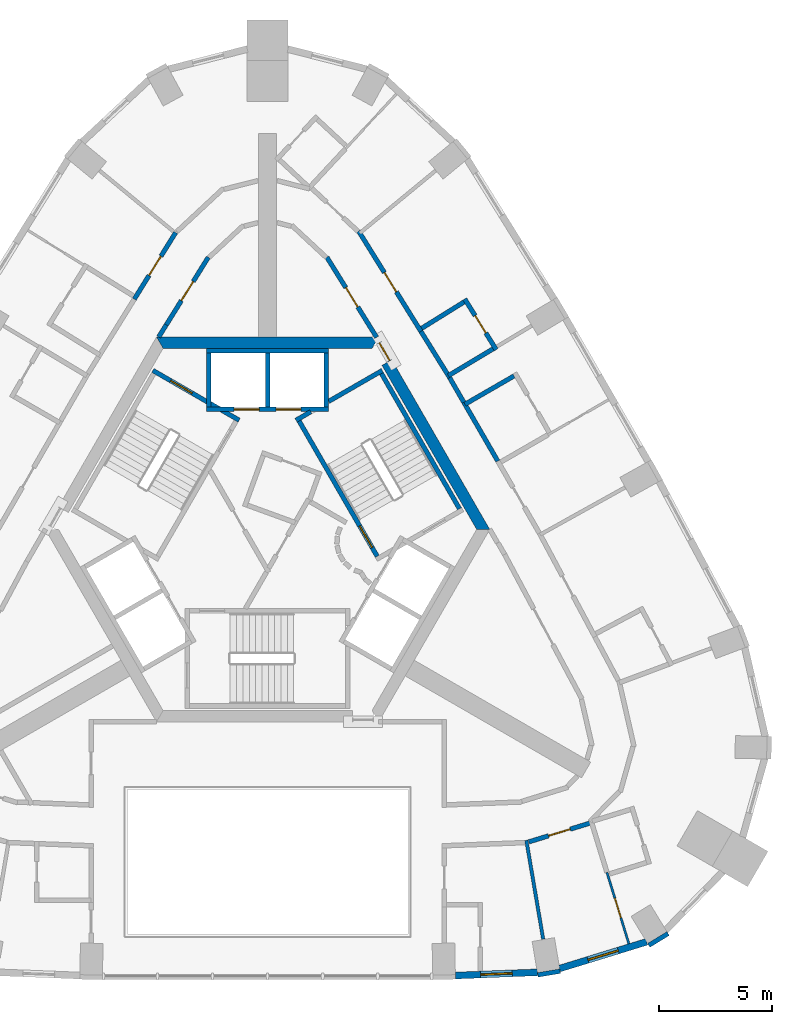
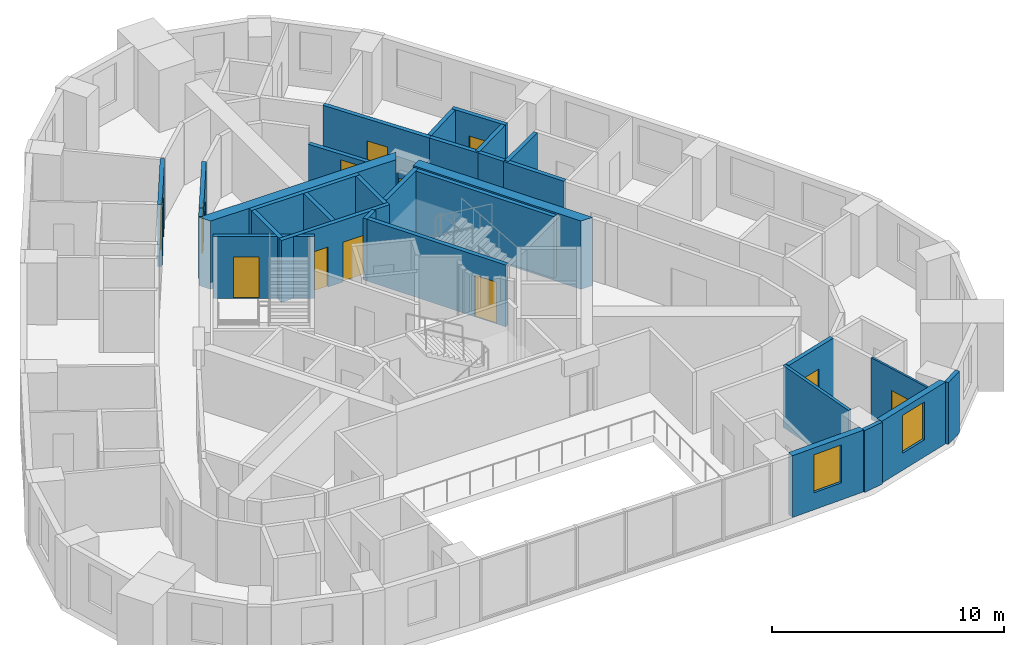
# One storey, part 5 of 9: 32 walls, 12 doors, 2 windows, 14 openings.
"""IFC4 building model written with IfcOpenShell, lengths in metres."""

from ifc_helpers import new_model, si_unit, direction, frame, frame_2d, origin, place, context, subcontext, project, spatial, polyline, rectangle, outline, extrude, material, layer, layer_set, type_object, element, fill, save


model = new_model("IFC4")

# Units and contexts
model_context = context("Model", 3, precision=1e-05, world=origin(), true_north=direction((0.0, 1.0)))
body_context = subcontext(model_context, "Body", "Model", "MODEL_VIEW")
ifc_project = project(units=[si_unit("LENGTHUNIT", "METRE"), si_unit("AREAUNIT", "SQUARE_METRE"), si_unit("VOLUMEUNIT", "CUBIC_METRE"), si_unit("PLANEANGLEUNIT", "RADIAN"), si_unit("MASSUNIT", "GRAM", prefix="KILO")], contexts=[model_context])

# Site, building, storey
site_placement = place(None, origin())
site = spatial("IfcSite", under=ifc_project, at=site_placement, CompositionType="ELEMENT")
building_placement = place(site_placement, origin())
building = spatial("IfcBuilding", under=site, at=building_placement, Name="Entoto Arch Interchange Tower", CompositionType="ELEMENT")
storey_placement = place(building_placement, frame((0.0, 0.0, 290.0)))
storey = spatial("IfcBuildingStorey", under=building, at=storey_placement, Name="L67", CompositionType="ELEMENT", Elevation=290.0)

# Wall, opening, door
ifc_material_1 = material(Name="Reinforced concrete C40/50", Category="concrete")
ifc_layer_1 = layer(ifc_material_1, 0.199951171875)
ifc_layer_set_1 = layer_set([ifc_layer_1], Name="Reinforced concrete C40/50")
wall_type_1 = type_object("IfcWallType", Name="CORE GAP INFILL WALL", PredefinedType="PARTITIONING", material=ifc_layer_set_1)
wall_1_placement = place(storey_placement, frame((5.39892578125, 9.947998046875, 0.0), z_axis=(0.0, 0.0, 1.0), x_axis=(-0.499882215713, 0.866093395895, 0.0)))
wall_1 = element("IfcWall", 1, at=wall_1_placement, inside=storey, type_object=wall_type_1, Name="wall:L67:gap2", PredefinedType="PARTITIONING", context=body_context, shape_type="SweptSolid", body=[
    extrude(rectangle(XDim=0.926025390625, YDim=0.199951171875, at=frame_2d((0.462890625, 0.0))), origin(), (0.0, 0.0, 1.0), 2.39990234375),
])
opening_1_placement = place(wall_1_placement, frame((0.01708984375, 0.0, 0.0)))
opening_1 = element("IfcOpeningElement", 2, at=opening_1_placement, cuts=wall_1, Name="Opening L67-D92", PredefinedType="OPENING", context=body_context, shape_type="SweptSolid", body=[
    extrude(rectangle(XDim=0.89990234375, YDim=2.10009765625, at=frame_2d((0.449951171875, 1.050048828125))), frame((0.0, 0.10986328125, 0.0), z_axis=(0.0, -1.0, 0.0), x_axis=(1.0, 0.0, 0.0)), (0.0, 0.0, 1.0), 0.219970703125),
])
ifc_material_2 = material(Name="Fire-rated Steel S235 door and frame", Category="steel")
door_type_1 = type_object("IfcDoorType", Name="DOOR FD-09 900x2100", OperationType="SINGLE_SWING_LEFT", PredefinedType="DOOR", material=ifc_material_2)
door_1_placement = place(opening_1_placement, origin())
door_1 = element("IfcDoor", 3, at=door_1_placement, inside=storey, type_object=door_type_1, Name="door:L67:gap2", OperationType="SINGLE_SWING_LEFT", OverallHeight=2.10009765625, OverallWidth=0.89990234375, PredefinedType="DOOR", context=body_context, shape_type="SweptSolid", body=[
    extrude(rectangle(XDim=0.89990234375, YDim=2.10009765625, at=frame_2d((0.449951171875, 1.050048828125))), frame((0.0, 0.02490234375, 0.0), z_axis=(0.0, -1.0, 0.0), x_axis=(1.0, 0.0, 0.0)), (0.0, 0.0, 1.0), 0.050048828125),
])
fill(opening_1, door_1)

# Walls
ifc_material_3 = material(Name="Concrete C40/50", Category="concrete")
ifc_layer_2 = layer(ifc_material_3, 0.5)
ifc_layer_set_2 = layer_set([ifc_layer_2], Name="Concrete C40/50")
wall_type_2 = type_object("IfcWallType", Name="Core wall 500 C40/50", PredefinedType="SHEAR", material=ifc_layer_set_2)
wall_2_placement = place(storey_placement, frame((0.0, 0.0, -0.340087890625)))
element("IfcWall", 4, at=wall_2_placement, inside=storey, type_object=wall_type_2, Name="Core wall NE L67", PredefinedType="SHEAR", context=body_context, shape_type="SweptSolid", body=[
    extrude(outline(polyline([(5.486083984375, 9.998046875), (5.052978515625, 9.748046875), (9.238037109375, 2.5), (9.81494140625, 2.5), (5.486083984375, 9.998046875)])), origin(), (0.0, 0.0, 1.0), 3.60009765625),
])
wall_3_placement = place(storey_placement, frame((0.0, 0.0, -0.340087890625)))
element("IfcWall", 5, at=wall_3_placement, inside=storey, type_object=wall_type_2, Name="Core wall N L67", PredefinedType="SHEAR", context=body_context, shape_type="SweptSolid", body=[
    extrude(outline(polyline([(4.906982421875, 11.0), (-4.906982421875, 11.0), (-4.618896484375, 10.5), (4.618896484375, 10.5), (4.906982421875, 11.0)])), origin(), (0.0, 0.0, 1.0), 3.60009765625),
])

# Wall, openings, doors
ifc_layer_3 = layer(ifc_material_3, 0.199951171875)
ifc_layer_set_3 = layer_set([ifc_layer_3], Name="Concrete C40/50")
wall_type_3 = type_object("IfcWallType", Name="LIFT SHAFT WALL 200", PredefinedType="STANDARD", material=ifc_layer_set_3)
wall_4_placement = place(storey_placement, frame((2.699951171875, 7.800048828125, 0.0), z_axis=(0.0, 0.0, 1.0), x_axis=(-1.0, 0.0, 0.0)))
wall_4 = element("IfcWall", 6, at=wall_4_placement, inside=storey, type_object=wall_type_3, Name="Shaft wall N1 front", PredefinedType="STANDARD", context=body_context, shape_type="SweptSolid", body=[
    extrude(rectangle(XDim=5.39990234375, YDim=0.199951171875, at=frame_2d((2.699951171875, 0.0))), origin(), (0.0, 0.0, 1.0), 3.260009765625),
])
opening_2_placement = place(wall_4_placement, frame((1.22509765625, 0.0, 0.0)))
opening_2 = element("IfcOpeningElement", 7, at=opening_2_placement, cuts=wall_4, Name="Opening LD-HR1-L67", PredefinedType="OPENING", context=body_context, shape_type="SweptSolid", body=[
    extrude(rectangle(XDim=1.10009765625, YDim=2.10009765625, at=frame_2d((0.550048828125, 1.050048828125))), frame((0.0, 0.10986328125, 0.0), z_axis=(0.0, -1.0, 0.0), x_axis=(1.0, 0.0, 0.0)), (0.0, 0.0, 1.0), 0.219970703125),
])
opening_3_placement = place(wall_4_placement, frame((3.074951171875, 0.0, 0.0)))
opening_3 = element("IfcOpeningElement", 8, at=opening_3_placement, cuts=wall_4, Name="Opening LD-HR2-L67", PredefinedType="OPENING", context=body_context, shape_type="SweptSolid", body=[
    extrude(rectangle(XDim=1.10009765625, YDim=2.10009765625, at=frame_2d((0.550048828125, 1.050048828125))), frame((0.0, 0.10986328125, 0.0), z_axis=(0.0, -1.0, 0.0), x_axis=(1.0, 0.0, 0.0)), (0.0, 0.0, 1.0), 0.219970703125),
])
ifc_material_4 = material(Name="Stainless steel 1.4301 panels", Category="steel")
door_type_2 = type_object("IfcDoorType", Name="LIFT LANDING DOOR LD1 1100x2100", OperationType="SLIDING_TO_LEFT", PredefinedType="DOOR", material=ifc_material_4)
door_2_placement = place(opening_2_placement, origin())
door_2 = element("IfcDoor", 9, at=door_2_placement, inside=storey, type_object=door_type_2, Name="Lift landing door HR1 L67", OperationType="SLIDING_TO_LEFT", OverallHeight=2.10009765625, OverallWidth=1.10009765625, PredefinedType="DOOR", context=body_context, shape_type="SweptSolid", body=[
    extrude(rectangle(XDim=1.10009765625, YDim=2.10009765625, at=frame_2d((0.550048828125, 1.050048828125))), frame((0.0, 0.02490234375, 0.0), z_axis=(0.0, -1.0, 0.0), x_axis=(1.0, 0.0, 0.0)), (0.0, 0.0, 1.0), 0.050048828125),
])
fill(opening_2, door_2)
door_3_placement = place(opening_3_placement, origin())
door_3 = element("IfcDoor", 10, at=door_3_placement, inside=storey, type_object=door_type_2, Name="Lift landing door HR2 L67", OperationType="SLIDING_TO_LEFT", OverallHeight=2.10009765625, OverallWidth=1.10009765625, PredefinedType="DOOR", context=body_context, shape_type="SweptSolid", body=[
    extrude(rectangle(XDim=1.10009765625, YDim=2.10009765625, at=frame_2d((0.550048828125, 1.050048828125))), frame((0.0, 0.02490234375, 0.0), z_axis=(0.0, -1.0, 0.0), x_axis=(1.0, 0.0, 0.0)), (0.0, 0.0, 1.0), 0.050048828125),
])
fill(opening_3, door_3)

# Walls
wall_5_placement = place(storey_placement, frame((2.699951171875, 10.39990234375, 0.0), z_axis=(0.0, 0.0, 1.0), x_axis=(-1.0, 0.0, 0.0)))
element("IfcWall", 11, at=wall_5_placement, inside=storey, type_object=wall_type_3, Name="Shaft wall N1 back", PredefinedType="STANDARD", context=body_context, shape_type="SweptSolid", body=[
    extrude(rectangle(XDim=5.39990234375, YDim=0.199951171875, at=frame_2d((2.699951171875, 0.0))), origin(), (0.0, 0.0, 1.0), 3.260009765625),
])
for number, where, z_axis, x_axis, name in (
    (12, (2.60009765625, 7.89990234375, 0.0), (0.0, 0.0, 1.0), (0.0, 1.0, 0.0), "Shaft wall N1 cross 1"),
    (13, (0.0, 7.89990234375, 0.0), (0.0, 0.0, 1.0), (0.0, 1.0, 0.0), "Shaft wall N1 cross 2"),
    (14, (-2.60009765625, 7.89990234375, 0.0), (0.0, 0.0, 1.0), (0.0, 1.0, 0.0), "Shaft wall N1 cross 3"),
):
    element("IfcWall", number, at=place(storey_placement, frame(where, z_axis=z_axis, x_axis=x_axis)), inside=storey, type_object=wall_type_3, Name=name, PredefinedType="STANDARD", context=body_context, shape_type="SweptSolid", body=[
        extrude(rectangle(XDim=2.400146484375, YDim=0.199951171875, at=frame_2d((1.2001953125, 0.0))), origin(), (0.0, 0.0, 1.0), 3.260009765625),
    ])

# Wall, opening, door
ifc_material_5 = material(Name="Gypsum board partition on steel studs", Category="steel")
ifc_layer_4 = layer(ifc_material_5, 0.10009765625)
ifc_layer_set_4 = layer_set([ifc_layer_4], Name="Gypsum board partition on steel studs")
wall_type_4 = type_object("IfcWallType", Name="PARTITION 100", PredefinedType="PARTITIONING", material=ifc_layer_set_4)
wall_6_placement = place(storey_placement, frame((14.991943359375, -12.64990234375, 0.0), z_axis=(0.0, 0.0, 1.0), x_axis=(0.293675064948, -0.955905307145, 0.0)))
wall_6 = element("IfcWall", 15, at=wall_6_placement, inside=storey, type_object=wall_type_4, Name="wall:L67:p088", PredefinedType="PARTITIONING", context=body_context, shape_type="SweptSolid", body=[
    extrude(rectangle(XDim=3.299560546875, YDim=0.10009765625, at=frame_2d((1.64990234375, 0.0))), origin(), (0.0, 0.0, 1.0), 3.260009765625),
])
opening_4_placement = place(wall_6_placement, frame((1.199951171875, 0.0, 0.0)))
opening_4 = element("IfcOpeningElement", 16, at=opening_4_placement, cuts=wall_6, Name="Opening L67-D04", PredefinedType="OPENING", context=body_context, shape_type="SweptSolid", body=[
    extrude(rectangle(XDim=0.89990234375, YDim=2.10009765625, at=frame_2d((0.449951171875, 1.050048828125))), frame((0.0, 0.06005859375, 0.0), z_axis=(0.0, -1.0, 0.0), x_axis=(1.0, 0.0, 0.0)), (0.0, 0.0, 1.0), 0.1201171875),
])
ifc_material_6 = material(Name="Timber door leaf in Steel S235 frame", Category="steel")
door_type_3 = type_object("IfcDoorType", Name="DOOR DS-09 900x2100", OperationType="SINGLE_SWING_LEFT", PredefinedType="DOOR", material=ifc_material_6)
door_4_placement = place(opening_4_placement, origin())
door_4 = element("IfcDoor", 17, at=door_4_placement, inside=storey, type_object=door_type_3, Name="door:L67:04", OperationType="SINGLE_SWING_LEFT", OverallHeight=2.10009765625, OverallWidth=0.89990234375, PredefinedType="DOOR", context=body_context, shape_type="SweptSolid", body=[
    extrude(rectangle(XDim=0.89990234375, YDim=2.10009765625, at=frame_2d((0.449951171875, 1.050048828125))), frame((0.0, 0.02490234375, 0.0), z_axis=(0.0, -1.0, 0.0), x_axis=(1.0, 0.0, 0.0)), (0.0, 0.0, 1.0), 0.050048828125),
])
fill(opening_4, door_4)

# Wall
ifc_layer_5 = layer(ifc_material_5, 0.14990234375)
ifc_layer_set_5 = layer_set([ifc_layer_5], Name="Gypsum board partition on steel studs")
wall_type_5 = type_object("IfcWallType", Name="PARTITION 150", PredefinedType="PARTITIONING", material=ifc_layer_set_5)
wall_7_placement = place(storey_placement, frame((11.431884765625, -11.23388671875, 0.0), z_axis=(0.0, 0.0, 1.0), x_axis=(0.16797255243, -0.98579167253, 0.0)))
element("IfcWall", 18, at=wall_7_placement, inside=storey, type_object=wall_type_5, Name="wall:L67:p087", PredefinedType="PARTITIONING", context=body_context, shape_type="SweptSolid", body=[
    extrude(rectangle(XDim=4.43017578125, YDim=0.14990234375, at=frame_2d((2.215087890625, 0.0))), origin(), (0.0, 0.0, 1.0), 3.260009765625),
])

# Wall, opening, door
ifc_layer_6 = layer(ifc_material_5, 0.199951171875)
ifc_layer_set_6 = layer_set([ifc_layer_6], Name="Gypsum board partition on steel studs")
wall_type_6 = type_object("IfcWallType", Name="PARTITION 200", PredefinedType="PARTITIONING", material=ifc_layer_set_6)
wall_8_placement = place(storey_placement, frame((2.6201171875, 14.52587890625, 0.0), z_axis=(0.0, 0.0, 1.0), x_axis=(0.527726136463, -0.84941457775, 0.0)))
wall_8 = element("IfcWall", 19, at=wall_8_placement, inside=storey, type_object=wall_type_6, Name="wall:L67:p006", PredefinedType="PARTITIONING", context=body_context, shape_type="SweptSolid", body=[
    extrude(rectangle(XDim=4.1650390625, YDim=0.199951171875, at=frame_2d((2.08251953125, 0.0))), origin(), (0.0, 0.0, 1.0), 2.39990234375),
])
opening_5_placement = place(wall_8_placement, frame((1.5830078125, 0.0, 0.0)))
opening_5 = element("IfcOpeningElement", 20, at=opening_5_placement, cuts=wall_8, Name="Opening L67-D29", PredefinedType="OPENING", context=body_context, shape_type="SweptSolid", body=[
    extrude(rectangle(XDim=1.0, YDim=2.10009765625, at=frame_2d((0.5, 1.050048828125))), frame((0.0, 0.10986328125, 0.0), z_axis=(0.0, -1.0, 0.0), x_axis=(1.0, 0.0, 0.0)), (0.0, 0.0, 1.0), 0.219970703125),
])
door_type_4 = type_object("IfcDoorType", Name="DOOR DS-10 1000x2100", OperationType="SINGLE_SWING_LEFT", PredefinedType="DOOR", material=ifc_material_6)
door_5_placement = place(opening_5_placement, origin())
door_5 = element("IfcDoor", 21, at=door_5_placement, inside=storey, type_object=door_type_4, Name="door:L67:29", OperationType="SINGLE_SWING_RIGHT", OverallHeight=2.10009765625, OverallWidth=1.0, PredefinedType="DOOR", context=body_context, shape_type="SweptSolid", body=[
    extrude(rectangle(XDim=1.0, YDim=2.10009765625, at=frame_2d((0.5, 1.050048828125))), frame((0.0, 0.02490234375, 0.0), z_axis=(0.0, -1.0, 0.0), x_axis=(1.0, 0.0, 0.0)), (0.0, 0.0, 1.0), 0.050048828125),
])
fill(opening_5, door_5)

wall_9_placement = place(storey_placement, frame((-2.6201171875, 14.52587890625, 0.0), z_axis=(0.0, 0.0, 1.0), x_axis=(-0.527787942423, -0.849376175692, 0.0)))
wall_9 = element("IfcWall", 22, at=wall_9_placement, inside=storey, type_object=wall_type_6, Name="wall:L67:p011", PredefinedType="PARTITIONING", context=body_context, shape_type="SweptSolid", body=[
    extrude(rectangle(XDim=3.5166015625, YDim=0.199951171875, at=frame_2d((1.75830078125, 0.0))), origin(), (0.0, 0.0, 1.0), 3.260009765625),
])
opening_6_placement = place(wall_9_placement, frame((1.258056640625, 0.0, 0.0)))
opening_6 = element("IfcOpeningElement", 23, at=opening_6_placement, cuts=wall_9, Name="Opening L67-D30", PredefinedType="OPENING", context=body_context, shape_type="SweptSolid", body=[
    extrude(rectangle(XDim=1.0, YDim=2.10009765625, at=frame_2d((0.5, 1.050048828125))), frame((0.0, 0.10986328125, 0.0), z_axis=(0.0, -1.0, 0.0), x_axis=(1.0, 0.0, 0.0)), (0.0, 0.0, 1.0), 0.219970703125),
])
door_6_placement = place(opening_6_placement, origin())
door_6 = element("IfcDoor", 24, at=door_6_placement, inside=storey, type_object=door_type_4, Name="door:L67:30", OperationType="SINGLE_SWING_RIGHT", OverallHeight=2.10009765625, OverallWidth=1.0, PredefinedType="DOOR", context=body_context, shape_type="SweptSolid", body=[
    extrude(rectangle(XDim=1.0, YDim=2.10009765625, at=frame_2d((0.5, 1.050048828125))), frame((0.0, 0.02490234375, 0.0), z_axis=(0.0, -1.0, 0.0), x_axis=(1.0, 0.0, 0.0)), (0.0, 0.0, 1.0), 0.050048828125),
])
fill(opening_6, door_6)

# Wall
wall_10_placement = place(storey_placement, frame((-4.47802734375, 11.5400390625, 0.0), z_axis=(0.0, 0.0, 1.0), x_axis=(-0.527362861778, -0.849640166198, 0.0)))
element("IfcWall", 25, at=wall_10_placement, inside=storey, type_object=wall_type_6, Name="wall:L67:p012", PredefinedType="PARTITIONING", context=body_context, shape_type="SweptSolid", body=[
    extrude(rectangle(XDim=0.63330078125, YDim=0.199951171875, at=frame_2d((0.316650390625, 0.0))), origin(), (0.0, 0.0, 1.0), 3.260009765625),
])

# Wall, opening, door
wall_11_placement = place(storey_placement, frame((14.242919921875, -10.47412109375, 0.0), z_axis=(0.0, 0.0, 1.0), x_axis=(-0.955937788993, -0.293569316475, 0.0)))
wall_11 = element("IfcWall", 26, at=wall_11_placement, inside=storey, type_object=wall_type_6, Name="wall:L67:p031", PredefinedType="PARTITIONING", context=body_context, shape_type="SweptSolid", body=[
    extrude(rectangle(XDim=2.823486328125, YDim=0.199951171875, at=frame_2d((1.41162109375, 0.0))), origin(), (0.0, 0.0, 1.0), 3.260009765625),
])
opening_7_placement = place(wall_11_placement, frame((0.912109375, 0.0, 0.0)))
opening_7 = element("IfcOpeningElement", 27, at=opening_7_placement, cuts=wall_11, Name="Opening L67-D03", PredefinedType="OPENING", context=body_context, shape_type="SweptSolid", body=[
    extrude(rectangle(XDim=1.0, YDim=2.10009765625, at=frame_2d((0.5, 1.050048828125))), frame((0.0, 0.10986328125, 0.0), z_axis=(0.0, -1.0, 0.0), x_axis=(1.0, 0.0, 0.0)), (0.0, 0.0, 1.0), 0.219970703125),
])
door_type_5 = type_object("IfcDoorType", Name="DOOR FD-10 1000x2100", OperationType="SINGLE_SWING_LEFT", PredefinedType="DOOR", material=ifc_material_2)
door_7_placement = place(opening_7_placement, origin())
door_7 = element("IfcDoor", 28, at=door_7_placement, inside=storey, type_object=door_type_5, Name="door:L67:03", OperationType="SINGLE_SWING_LEFT", OverallHeight=2.10009765625, OverallWidth=1.0, PredefinedType="DOOR", context=body_context, shape_type="SweptSolid", body=[
    extrude(rectangle(XDim=1.0, YDim=2.10009765625, at=frame_2d((0.5, 1.050048828125))), frame((0.0, 0.02490234375, 0.0), z_axis=(0.0, -1.0, 0.0), x_axis=(1.0, 0.0, 0.0)), (0.0, 0.0, 1.0), 0.050048828125),
])
fill(opening_7, door_7)

# Walls
wall_12_placement = place(storey_placement, frame((8.0390625, 9.208984375, 0.0), z_axis=(0.0, 0.0, 1.0), x_axis=(0.500219543227, -0.865898613334, 0.0)))
element("IfcWall", 29, at=wall_12_placement, inside=storey, type_object=wall_type_6, Name="wall:L67:p038", PredefinedType="PARTITIONING", context=body_context, shape_type="SweptSolid", body=[
    extrude(rectangle(XDim=1.26123046875, YDim=0.199951171875, at=frame_2d((0.630615234375, 0.0))), origin(), (0.0, 0.0, 1.0), 3.260009765625),
])
wall_13_placement = place(storey_placement, frame((8.669921875, 8.116943359375, 0.0), z_axis=(0.0, 0.0, 1.0), x_axis=(0.50002537861, -0.866010750942, 0.0)))
element("IfcWall", 30, at=wall_13_placement, inside=storey, type_object=wall_type_6, Name="wall:L67:p039", PredefinedType="PARTITIONING", context=body_context, shape_type="SweptSolid", body=[
    extrude(rectangle(XDim=2.999755859375, YDim=0.199951171875, at=frame_2d((1.5, 0.0))), origin(), (0.0, 0.0, 1.0), 3.260009765625),
])

# Wall, opening, door
wall_14_placement = place(storey_placement, frame((4.02197265625, 15.679931640625, 0.0), z_axis=(0.0, 0.0, 1.0), x_axis=(0.527737948498, -0.849407239029, 0.0)))
wall_14 = element("IfcWall", 31, at=wall_14_placement, inside=storey, type_object=wall_type_6, Name="wall:L67:p040", PredefinedType="PARTITIONING", context=body_context, shape_type="SweptSolid", body=[
    extrude(rectangle(XDim=5.216552734375, YDim=0.199951171875, at=frame_2d((2.6083984375, 0.0))), origin(), (0.0, 0.0, 1.0), 3.260009765625),
])
opening_8_placement = place(wall_14_placement, frame((2.158935546875, 0.0, 0.0)))
opening_8 = element("IfcOpeningElement", 32, at=opening_8_placement, cuts=wall_14, Name="Opening L67-D11", PredefinedType="OPENING", context=body_context, shape_type="SweptSolid", body=[
    extrude(rectangle(XDim=1.0, YDim=2.10009765625, at=frame_2d((0.5, 1.050048828125))), frame((0.0, 0.10986328125, 0.0), z_axis=(0.0, -1.0, 0.0), x_axis=(1.0, 0.0, 0.0)), (0.0, 0.0, 1.0), 0.219970703125),
])
door_8_placement = place(opening_8_placement, origin())
door_8 = element("IfcDoor", 33, at=door_8_placement, inside=storey, type_object=door_type_5, Name="door:L67:11", OperationType="SINGLE_SWING_LEFT", OverallHeight=2.10009765625, OverallWidth=1.0, PredefinedType="DOOR", context=body_context, shape_type="SweptSolid", body=[
    extrude(rectangle(XDim=1.0, YDim=2.10009765625, at=frame_2d((0.5, 1.050048828125))), frame((0.0, 0.02490234375, 0.0), z_axis=(0.0, -1.0, 0.0), x_axis=(1.0, 0.0, 0.0)), (0.0, 0.0, 1.0), 0.050048828125),
])
fill(opening_8, door_8)

# Wall
wall_15_placement = place(storey_placement, frame((6.77490234375, 11.2490234375, 0.0), z_axis=(0.0, 0.0, 1.0), x_axis=(0.527803270752, -0.849366650736, 0.0)))
element("IfcWall", 34, at=wall_15_placement, inside=storey, type_object=wall_type_6, Name="wall:L67:p041", PredefinedType="PARTITIONING", context=body_context, shape_type="SweptSolid", body=[
    extrude(rectangle(XDim=2.400634765625, YDim=0.199951171875, at=frame_2d((1.2001953125, 0.0))), origin(), (0.0, 0.0, 1.0), 3.260009765625),
])

# Wall, opening, door
wall_16_placement = place(storey_placement, frame((-5.888916015625, 12.675048828125, 0.0), z_axis=(0.0, 0.0, 1.0), x_axis=(0.527550626699, 0.849523593709, 0.0)))
wall_16 = element("IfcWall", 35, at=wall_16_placement, inside=storey, type_object=wall_type_6, Name="wall:L67:p046", PredefinedType="PARTITIONING", context=body_context, shape_type="SweptSolid", body=[
    extrude(rectangle(XDim=3.462890625, YDim=0.199951171875, at=frame_2d((1.7314453125, 0.0))), origin(), (0.0, 0.0, 1.0), 3.260009765625),
])
opening_9_placement = place(wall_16_placement, frame((1.23095703125, 0.0, 0.0)))
opening_9 = element("IfcOpeningElement", 36, at=opening_9_placement, cuts=wall_16, Name="Opening L67-D16", PredefinedType="OPENING", context=body_context, shape_type="SweptSolid", body=[
    extrude(rectangle(XDim=1.0, YDim=2.10009765625, at=frame_2d((0.5, 1.050048828125))), frame((0.0, 0.10986328125, 0.0), z_axis=(0.0, -1.0, 0.0), x_axis=(1.0, 0.0, 0.0)), (0.0, 0.0, 1.0), 0.219970703125),
])
door_9_placement = place(opening_9_placement, origin())
door_9 = element("IfcDoor", 37, at=door_9_placement, inside=storey, type_object=door_type_5, Name="door:L67:16", OperationType="SINGLE_SWING_LEFT", OverallHeight=2.10009765625, OverallWidth=1.0, PredefinedType="DOOR", context=body_context, shape_type="SweptSolid", body=[
    extrude(rectangle(XDim=1.0, YDim=2.10009765625, at=frame_2d((0.5, 1.050048828125))), frame((0.0, 0.02490234375, 0.0), z_axis=(0.0, -1.0, 0.0), x_axis=(1.0, 0.0, 0.0)), (0.0, 0.0, 1.0), 0.050048828125),
])
fill(opening_9, door_9)

# Walls
wall_17_placement = place(storey_placement, frame((10.885009765625, 9.280029296875, 0.0), z_axis=(0.0, 0.0, 1.0), x_axis=(-0.866022959057, -0.500004234368, 0.0)))
element("IfcWall", 38, at=wall_17_placement, inside=storey, type_object=wall_type_6, Name="wall:L67:p101", PredefinedType="PARTITIONING", context=body_context, shape_type="SweptSolid", body=[
    extrude(rectangle(XDim=2.5, YDim=0.199951171875, at=frame_2d((1.25, 0.0))), origin(), (0.0, 0.0, 1.0), 3.260009765625),
])
wall_18_placement = place(storey_placement, frame((7.989013671875, 9.294921875, 0.0), z_axis=(0.0, 0.0, 1.0), x_axis=(0.857801856135, 0.513980520654, 0.0)))
element("IfcWall", 39, at=wall_18_placement, inside=storey, type_object=wall_type_6, Name="wall:L67:p103", PredefinedType="PARTITIONING", context=body_context, shape_type="SweptSolid", body=[
    extrude(rectangle(XDim=2.300048828125, YDim=0.199951171875, at=frame_2d((1.14990234375, 0.0))), origin(), (0.0, 0.0, 1.0), 3.260009765625),
])

# Wall, opening, door
wall_19_placement = place(storey_placement, frame((10.10009765625, 10.443115234375, 0.0), z_axis=(0.0, 0.0, 1.0), x_axis=(-0.527510239672, 0.849548672555, 0.0)))
wall_19 = element("IfcWall", 40, at=wall_19_placement, inside=storey, type_object=wall_type_6, Name="wall:L67:p104", PredefinedType="PARTITIONING", context=body_context, shape_type="SweptSolid", body=[
    extrude(rectangle(XDim=2.638916015625, YDim=0.199951171875, at=frame_2d((1.3193359375, 0.0))), origin(), (0.0, 0.0, 1.0), 3.260009765625),
])
opening_10_placement = place(wall_19_placement, frame((0.868896484375, 0.0, 0.0)))
opening_10 = element("IfcOpeningElement", 41, at=opening_10_placement, cuts=wall_19, Name="Opening L67-D12", PredefinedType="OPENING", context=body_context, shape_type="SweptSolid", body=[
    extrude(rectangle(XDim=0.89990234375, YDim=2.10009765625, at=frame_2d((0.449951171875, 1.050048828125))), frame((0.0, 0.10986328125, 0.0), z_axis=(0.0, -1.0, 0.0), x_axis=(1.0, 0.0, 0.0)), (0.0, 0.0, 1.0), 0.219970703125),
])
door_10_placement = place(opening_10_placement, origin())
door_10 = element("IfcDoor", 42, at=door_10_placement, inside=storey, type_object=door_type_3, Name="door:L67:12", OperationType="SINGLE_SWING_LEFT", OverallHeight=2.10009765625, OverallWidth=0.89990234375, PredefinedType="DOOR", context=body_context, shape_type="SweptSolid", body=[
    extrude(rectangle(XDim=0.89990234375, YDim=2.10009765625, at=frame_2d((0.449951171875, 1.050048828125))), frame((0.0, 0.02490234375, 0.0), z_axis=(0.0, -1.0, 0.0), x_axis=(1.0, 0.0, 0.0)), (0.0, 0.0, 1.0), 0.050048828125),
])
fill(opening_10, door_10)

# Walls
wall_20_placement = place(storey_placement, frame((8.676025390625, 12.548095703125, 0.0), z_axis=(0.0, 0.0, 1.0), x_axis=(-0.849286670427, -0.527931957202, 0.0)))
element("IfcWall", 43, at=wall_20_placement, inside=storey, type_object=wall_type_6, Name="wall:L67:p105", PredefinedType="PARTITIONING", context=body_context, shape_type="SweptSolid", body=[
    extrude(rectangle(XDim=2.199462890625, YDim=0.199951171875, at=frame_2d((1.099609375, 0.0))), origin(), (0.0, 0.0, 1.0), 3.260009765625),
])
ifc_layer_7 = layer(ifc_material_3, 0.199951171875)
ifc_layer_set_7 = layer_set([ifc_layer_7], Name="Concrete C40/50")
wall_type_7 = type_object("IfcWallType", Name="STAIR ENCLOSURE WALL 200", PredefinedType="STANDARD", material=ifc_layer_set_7)
wall_21_placement = place(storey_placement, frame((2.699951171875, 8.157958984375, 0.0), z_axis=(0.0, 0.0, 1.0), x_axis=(0.86611865017, 0.499838457731, 0.0)))
element("IfcWall", 44, at=wall_21_placement, inside=storey, type_object=wall_type_7, Name="Stair wall ST-NE far", PredefinedType="STANDARD", context=body_context, shape_type="SweptSolid", body=[
    extrude(rectangle(XDim=2.73291015625, YDim=0.199951171875, at=frame_2d((1.366455078125, 0.0))), origin(), (0.0, 0.0, 1.0), 3.260009765625),
])
wall_22_placement = place(storey_placement, frame((1.256103515625, 7.323974609375, 0.0), z_axis=(0.0, 0.0, 1.0), x_axis=(0.865915093549, 0.500191014278, 0.0)))
element("IfcWall", 45, at=wall_22_placement, inside=storey, type_object=wall_type_7, Name="Stair wall ST-NE far return", PredefinedType="STANDARD", context=body_context, shape_type="SweptSolid", body=[
    extrude(rectangle(XDim=0.751708984375, YDim=0.199951171875, at=frame_2d((0.3759765625, 0.0))), origin(), (0.0, 0.0, 1.0), 3.260009765625),
])

# Wall, opening, door
wall_23_placement = place(storey_placement, frame((4.843017578125, 1.31201171875, 0.0), z_axis=(0.0, 0.0, 1.0), x_axis=(-0.499963383562, 0.866046543262, 0.0)))
wall_23 = element("IfcWall", 46, at=wall_23_placement, inside=storey, type_object=wall_type_7, Name="Stair wall ST-NE hall", PredefinedType="STANDARD", context=body_context, shape_type="SweptSolid", body=[
    extrude(rectangle(XDim=6.900390625, YDim=0.199951171875, at=frame_2d((3.4501953125, 0.0))), origin(), (0.0, 0.0, 1.0), 3.260009765625),
])
opening_11_placement = place(wall_23_placement, frame((0.449951171875, 0.0, 0.0)))
opening_11 = element("IfcOpeningElement", 47, at=opening_11_placement, cuts=wall_23, Name="Opening SD-ST-NE-L67", PredefinedType="OPENING", context=body_context, shape_type="SweptSolid", body=[
    extrude(rectangle(XDim=1.10009765625, YDim=2.199951171875, at=frame_2d((0.550048828125, 1.10009765625))), frame((0.0, 0.10986328125, 0.0), z_axis=(0.0, -1.0, 0.0), x_axis=(1.0, 0.0, 0.0)), (0.0, 0.0, 1.0), 0.219970703125),
])
ifc_material_7 = material(Name="Steel S235", Category="steel")
door_type_6 = type_object("IfcDoorType", Name="STAIR DOOR SD1 1100x2200", OperationType="SINGLE_SWING_LEFT", PredefinedType="DOOR", material=ifc_material_7)
door_11_placement = place(opening_11_placement, origin())
door_11 = element("IfcDoor", 48, at=door_11_placement, inside=storey, type_object=door_type_6, Name="Stair door ST-NE L67", OperationType="SINGLE_SWING_LEFT", OverallHeight=2.199951171875, OverallWidth=1.10009765625, PredefinedType="DOOR", context=body_context, shape_type="SweptSolid", body=[
    extrude(rectangle(XDim=1.10009765625, YDim=2.199951171875, at=frame_2d((0.550048828125, 1.10009765625))), frame((0.0, 0.02490234375, 0.0), z_axis=(0.0, -1.0, 0.0), x_axis=(1.0, 0.0, 0.0)), (0.0, 0.0, 1.0), 0.050048828125),
])
fill(opening_11, door_11)

# Wall
wall_24_placement = place(storey_placement, frame((8.47998046875, 3.412109375, 0.0), z_axis=(0.0, 0.0, 1.0), x_axis=(-0.499978703459, 0.866037698999, 0.0)))
element("IfcWall", 49, at=wall_24_placement, inside=storey, type_object=wall_type_7, Name="Stair wall ST-NE back", PredefinedType="STANDARD", context=body_context, shape_type="SweptSolid", body=[
    extrude(rectangle(XDim=6.900146484375, YDim=0.199951171875, at=frame_2d((3.4501953125, 0.0))), origin(), (0.0, 0.0, 1.0), 3.260009765625),
])

# Wall, opening, door
wall_25_placement = place(storey_placement, frame((-1.256103515625, 7.323974609375, 0.0), z_axis=(0.0, 0.0, 1.0), x_axis=(-0.866046073146, 0.499964197906, 0.0)))
wall_25 = element("IfcWall", 50, at=wall_25_placement, inside=storey, type_object=wall_type_7, Name="Stair wall ST-NW near", PredefinedType="STANDARD", context=body_context, shape_type="SweptSolid", body=[
    extrude(rectangle(XDim=4.400146484375, YDim=0.199951171875, at=frame_2d((2.2001953125, 0.0))), origin(), (0.0, 0.0, 1.0), 3.260009765625),
])
opening_12_placement = place(wall_25_placement, frame((2.39990234375, 0.0, 0.0)))
opening_12 = element("IfcOpeningElement", 51, at=opening_12_placement, cuts=wall_25, Name="Opening SD-ST-NW-L67-E", PredefinedType="OPENING", context=body_context, shape_type="SweptSolid", body=[
    extrude(rectangle(XDim=1.10009765625, YDim=2.199951171875, at=frame_2d((0.550048828125, 1.10009765625))), frame((0.0, 0.10986328125, 0.0), z_axis=(0.0, -1.0, 0.0), x_axis=(1.0, 0.0, 0.0)), (0.0, 0.0, 1.0), 0.219970703125),
])
door_12_placement = place(opening_12_placement, origin())
door_12 = element("IfcDoor", 52, at=door_12_placement, inside=storey, type_object=door_type_6, Name="Stair door ST-NW L67 end", OperationType="SINGLE_SWING_LEFT", OverallHeight=2.199951171875, OverallWidth=1.10009765625, PredefinedType="DOOR", context=body_context, shape_type="SweptSolid", body=[
    extrude(rectangle(XDim=1.10009765625, YDim=2.199951171875, at=frame_2d((0.550048828125, 1.10009765625))), frame((0.0, 0.02490234375, 0.0), z_axis=(0.0, -1.0, 0.0), x_axis=(1.0, 0.0, 0.0)), (0.0, 0.0, 1.0), 0.050048828125),
])
fill(opening_12, door_12)

# Wall, opening, window
ifc_material_8 = material(Name="Welded tuff (ignimbrite) cladding, warm buff", Category="masonry")
ifc_layer_8 = layer(ifc_material_8, 0.300048828125)
ifc_layer_set_8 = layer_set([ifc_layer_8], Name="Welded tuff (ignimbrite) cladding, warm buff")
wall_type_8 = type_object("IfcWallType", Name="STONE INFILL WALL 300", PredefinedType="STANDARD", material=ifc_layer_set_8)
wall_26_placement = place(storey_placement, frame((8.2958984375, -17.2109375, 0.0), z_axis=(0.0, 0.0, 1.0), x_axis=(0.999234893779, 0.039110446866, 0.0)))
wall_26 = element("IfcWall", 53, at=wall_26_placement, inside=storey, type_object=wall_type_8, Name="Facade wall S-03 L67", PredefinedType="STANDARD", context=body_context, shape_type="SweptSolid", body=[
    extrude(rectangle(XDim=3.626708984375, YDim=0.300048828125, at=frame_2d((1.8134765625, 0.0))), origin(), (0.0, 0.0, 1.0), 3.260009765625),
])
opening_13_placement = place(wall_26_placement, frame((1.113037109375, 0.0, 0.89990234375)))
opening_13 = element("IfcOpeningElement", 54, at=opening_13_placement, cuts=wall_26, Name="Opening WH-B", PredefinedType="OPENING", context=body_context, shape_type="SweptSolid", body=[
    extrude(rectangle(XDim=1.39990234375, YDim=2.0, at=frame_2d((0.699951171875, 1.0))), frame((0.0, 0.16015625, 0.0), z_axis=(0.0, -1.0, 0.0), x_axis=(1.0, 0.0, 0.0)), (0.0, 0.0, 1.0), 0.320068359375),
])
ifc_material_9 = material(Name="Clear glass, low-e double glazed", Category="glass")
window_type = type_object("IfcWindowType", Name="WINDOW WH-B 1400x2000", PartitioningType="DOUBLE_PANEL_VERTICAL", PredefinedType="WINDOW", material=ifc_material_9)
window_1_placement = place(opening_13_placement, origin())
window_1 = element("IfcWindow", 55, at=window_1_placement, inside=storey, type_object=window_type, Name="Window WH-B S-03 L67", OverallHeight=2.0, OverallWidth=1.39990234375, PartitioningType="SINGLE_PANEL", PredefinedType="WINDOW", context=body_context, shape_type="SweptSolid", body=[
    extrude(rectangle(XDim=1.39990234375, YDim=2.0, at=frame_2d((0.699951171875, 1.0))), frame((0.0, 0.030029296875, 0.0), z_axis=(0.0, -1.0, 0.0), x_axis=(1.0, 0.0, 0.0)), (0.0, 0.0, 1.0), 0.06005859375),
])
fill(opening_13, window_1)

wall_27_placement = place(storey_placement, frame((12.904052734375, -16.90087890625, 0.0), z_axis=(0.0, 0.0, 1.0), x_axis=(0.955866957005, 0.293799864716, 0.0)))
wall_27 = element("IfcWall", 56, at=wall_27_placement, inside=storey, type_object=wall_type_8, Name="Facade wall SE-01 L67", PredefinedType="STANDARD", context=body_context, shape_type="SweptSolid", body=[
    extrude(rectangle(XDim=4.01953125, YDim=0.300048828125, at=frame_2d((2.009765625, 0.0))), origin(), (0.0, 0.0, 1.0), 3.260009765625),
])
opening_14_placement = place(wall_27_placement, frame((1.31005859375, 0.0, 0.89990234375)))
opening_14 = element("IfcOpeningElement", 57, at=opening_14_placement, cuts=wall_27, Name="Opening WH-B", PredefinedType="OPENING", context=body_context, shape_type="SweptSolid", body=[
    extrude(rectangle(XDim=1.39990234375, YDim=2.0, at=frame_2d((0.699951171875, 1.0))), frame((0.0, 0.16015625, 0.0), z_axis=(0.0, -1.0, 0.0), x_axis=(1.0, 0.0, 0.0)), (0.0, 0.0, 1.0), 0.320068359375),
])
window_2_placement = place(opening_14_placement, origin())
window_2 = element("IfcWindow", 58, at=window_2_placement, inside=storey, type_object=window_type, Name="Window WH-B SE-01 L67", OverallHeight=2.0, OverallWidth=1.39990234375, PartitioningType="SINGLE_PANEL", PredefinedType="WINDOW", context=body_context, shape_type="SweptSolid", body=[
    extrude(rectangle(XDim=1.39990234375, YDim=2.0, at=frame_2d((0.699951171875, 1.0))), frame((0.0, 0.030029296875, 0.0), z_axis=(0.0, -1.0, 0.0), x_axis=(1.0, 0.0, 0.0)), (0.0, 0.0, 1.0), 0.06005859375),
])
fill(opening_14, window_2)

# Walls
ifc_layer_9 = layer(ifc_material_8, 0.199951171875)
ifc_layer_set_9 = layer_set([ifc_layer_9], Name="Welded tuff (ignimbrite) cladding, warm buff")
wall_type_9 = type_object("IfcWallType", Name="STONE PIER CLADDING 200", PredefinedType="STANDARD", material=ifc_layer_set_9)
wall_28_placement = place(storey_placement, frame((11.93798828125, -17.18310546875, 0.0), z_axis=(0.0, 0.0, 1.0), x_axis=(0.985760116403, 0.168157643031, 0.0)))
element("IfcWall", 59, at=wall_28_placement, inside=storey, type_object=wall_type_9, Name="Stone pier S04 L67", PredefinedType="STANDARD", context=body_context, shape_type="SweptSolid", body=[
    extrude(rectangle(XDim=1.000244140625, YDim=0.199951171875, at=frame_2d((0.5, 0.0))), origin(), (0.0, 0.0, 1.0), 3.260009765625),
])
wall_29_placement = place(storey_placement, frame((16.840087890625, -15.8759765625, 0.0), z_axis=(0.0, 0.0, 1.0), x_axis=(0.853679739553, 0.520798331677, 0.0)))
element("IfcWall", 60, at=wall_29_placement, inside=storey, type_object=wall_type_9, Name="Stone pier SE1 L67", PredefinedType="STANDARD", context=body_context, shape_type="SweptSolid", body=[
    extrude(rectangle(XDim=1.00048828125, YDim=0.199951171875, at=frame_2d((0.500244140625, 0.0))), origin(), (0.0, 0.0, 1.0), 3.260009765625),
])

save(model, "model.ifc")
